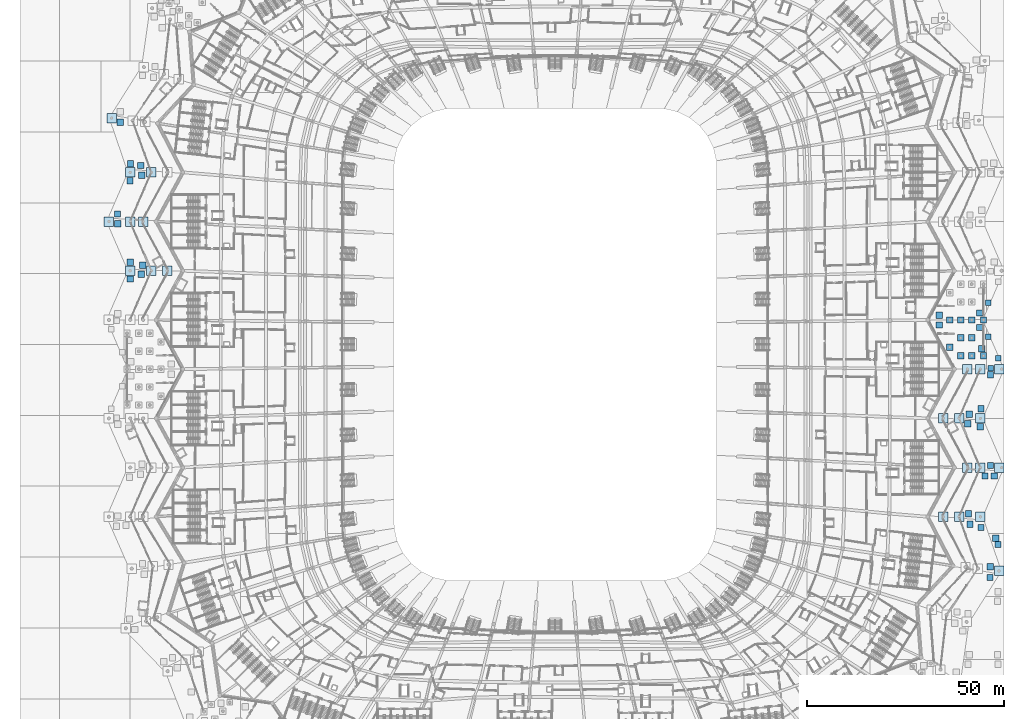
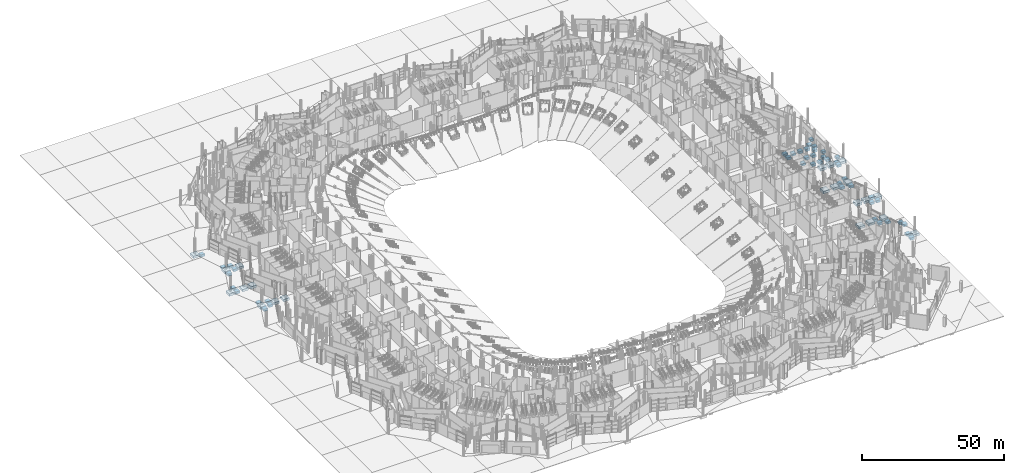
# One storey, part 5 of 255: 67 footings.
"""IFC4 building model written with IfcOpenShell, lengths in metres."""

from ifc_helpers import new_model, si_unit, direction, frame, origin, place, context, subcontext, project, spatial, polyline, outline, extrude, material, type_object, element, save


model = new_model("IFC4")

# Units and contexts
model_context = context("Model", 3, precision=1e-05, world=origin(), true_north=direction((0.0, 1.0)))
body_context = subcontext(model_context, "Body", "Model", "MODEL_VIEW")
ifc_project = project(units=[si_unit("LENGTHUNIT", "METRE"), si_unit("AREAUNIT", "SQUARE_METRE"), si_unit("VOLUMEUNIT", "CUBIC_METRE"), si_unit("PLANEANGLEUNIT", "RADIAN"), si_unit("MASSUNIT", "GRAM", prefix="KILO")], contexts=[model_context])

# Site, building, storey
site_placement = place(None, origin())
site = spatial("IfcSite", under=ifc_project, at=site_placement, CompositionType="ELEMENT")
building_placement = place(site_placement, origin())
building = spatial("IfcBuilding", under=site, at=building_placement, Name="Meseta Stadium", CompositionType="ELEMENT")
storey_placement = place(building_placement, origin())
storey = spatial("IfcBuildingStorey", under=building, at=storey_placement, Name="L00", CompositionType="ELEMENT", Elevation=0.0)

# Footings
ifc_material_1 = material(Name="Concrete C30/37", Category="concrete")
footing_type_1 = type_object("IfcFootingType", Name="Gate pad footing 1400", PredefinedType="PAD_FOOTING", material=ifc_material_1)
footing_1_placement = place(storey_placement, frame((0.0, 0.0, -1.300048828125)))
element("IfcFooting", 1, at=footing_1_placement, inside=storey, type_object=footing_type_1, Name="Paving pad footing", PredefinedType="PAD_FOOTING", context=body_context, shape_type="SweptSolid", body=[
    extrude(outline(polyline([(110.699951171875, 1.25), (110.699951171875, 2.64990234375), (109.300048828125, 2.64990234375), (109.300048828125, 1.25), (110.699951171875, 1.25)])), origin(), (0.0, 0.0, 1.0), 1.0),
])
footing_2_placement = place(storey_placement, frame((0.0, 0.0, -1.300048828125)))
element("IfcFooting", 2, at=footing_2_placement, inside=storey, type_object=footing_type_1, Name="Paving pad footing", PredefinedType="PAD_FOOTING", context=body_context, shape_type="SweptSolid", body=[
    extrude(outline(polyline([(111.300048828125, -6.75), (111.300048828125, -5.35009765625), (109.89990234375, -5.35009765625), (109.89990234375, -6.75), (111.300048828125, -6.75)])), origin(), (0.0, 0.0, 1.0), 1.0),
])
footing_3_placement = place(storey_placement, frame((0.0, 0.0, -1.300048828125)))
element("IfcFooting", 3, at=footing_3_placement, inside=storey, type_object=footing_type_1, Name="Paving pad footing", PredefinedType="PAD_FOOTING", context=body_context, shape_type="SweptSolid", body=[
    extrude(outline(polyline([(113.300048828125, -4.14990234375), (113.300048828125, -2.75), (111.89990234375, -2.75), (111.89990234375, -4.14990234375), (113.300048828125, -4.14990234375)])), origin(), (0.0, 0.0, 1.0), 1.0),
])
footing_4_placement = place(storey_placement, frame((0.0, 0.0, -1.300048828125)))
element("IfcFooting", 4, at=footing_4_placement, inside=storey, type_object=footing_type_1, Name="Paving pad footing", PredefinedType="PAD_FOOTING", context=body_context, shape_type="SweptSolid", body=[
    extrude(outline(polyline([(110.699951171875, 9.864990234375), (110.699951171875, 11.264892578125), (109.300048828125, 11.264892578125), (109.300048828125, 9.864990234375), (110.699951171875, 9.864990234375)])), origin(), (0.0, 0.0, 1.0), 1.0),
])
ifc_material_2 = material(Name="Concrete C30/37", Category="concrete")
footing_type_2 = type_object("IfcFootingType", Name="Gate pad footing 1600", PredefinedType="PAD_FOOTING", material=ifc_material_2)
footing_5_placement = place(storey_placement, frame((0.0, 0.0, -1.300048828125)))
element("IfcFooting", 5, at=footing_5_placement, inside=storey, type_object=footing_type_2, Name="Gate 1 pad footing", PredefinedType="PAD_FOOTING", context=body_context, shape_type="SweptSolid", body=[
    extrude(outline(polyline([(101.0, -1.46728515625), (101.0, 0.132568359375), (99.39990234375, 0.132568359375), (99.39990234375, -1.46728515625), (101.0, -1.46728515625)])), origin(), (0.0, 0.0, 1.0), 1.0),
])
footing_6_placement = place(storey_placement, frame((0.0, 0.0, -1.300048828125)))
element("IfcFooting", 6, at=footing_6_placement, inside=storey, type_object=footing_type_2, Name="Gate 1 pad footing", PredefinedType="PAD_FOOTING", context=body_context, shape_type="SweptSolid", body=[
    extrude(outline(polyline([(101.0, 5.449951171875), (101.0, 7.050048828125), (99.39990234375, 7.050048828125), (99.39990234375, 5.449951171875), (101.0, 5.449951171875)])), origin(), (0.0, 0.0, 1.0), 1.0),
])
footing_7_placement = place(storey_placement, frame((0.0, 0.0, -1.300048828125)))
element("IfcFooting", 7, at=footing_7_placement, inside=storey, type_object=footing_type_2, Name="Gate 1 pad footing", PredefinedType="PAD_FOOTING", context=body_context, shape_type="SweptSolid", body=[
    extrude(outline(polyline([(103.800048828125, -3.64990234375), (103.800048828125, -2.050048828125), (102.199951171875, -2.050048828125), (102.199951171875, -3.64990234375), (103.800048828125, -3.64990234375)])), origin(), (0.0, 0.0, 1.0), 1.0),
])
footing_8_placement = place(storey_placement, frame((0.0, 0.0, -1.300048828125)))
element("IfcFooting", 8, at=footing_8_placement, inside=storey, type_object=footing_type_2, Name="Gate 1 pad footing", PredefinedType="PAD_FOOTING", context=body_context, shape_type="SweptSolid", body=[
    extrude(outline(polyline([(103.800048828125, 0.89990234375), (103.800048828125, 2.5), (102.199951171875, 2.5), (102.199951171875, 0.89990234375), (103.800048828125, 0.89990234375)])), origin(), (0.0, 0.0, 1.0), 1.0),
])
footing_9_placement = place(storey_placement, frame((0.0, 0.0, -1.300048828125)))
element("IfcFooting", 9, at=footing_9_placement, inside=storey, type_object=footing_type_2, Name="Gate 1 pad footing", PredefinedType="PAD_FOOTING", context=body_context, shape_type="SweptSolid", body=[
    extrude(outline(polyline([(103.800048828125, 5.449951171875), (103.800048828125, 7.050048828125), (102.199951171875, 7.050048828125), (102.199951171875, 5.449951171875), (103.800048828125, 5.449951171875)])), origin(), (0.0, 0.0, 1.0), 1.0),
])
footing_10_placement = place(storey_placement, frame((0.0, 0.0, -1.300048828125)))
element("IfcFooting", 10, at=footing_10_placement, inside=storey, type_object=footing_type_2, Name="Gate 1 pad footing", PredefinedType="PAD_FOOTING", context=body_context, shape_type="SweptSolid", body=[
    extrude(outline(polyline([(106.60009765625, -3.64990234375), (106.60009765625, -2.050048828125), (105.0, -2.050048828125), (105.0, -3.64990234375), (106.60009765625, -3.64990234375)])), origin(), (0.0, 0.0, 1.0), 1.0),
])
footing_11_placement = place(storey_placement, frame((0.0, 0.0, -1.300048828125)))
element("IfcFooting", 11, at=footing_11_placement, inside=storey, type_object=footing_type_2, Name="Gate 1 pad footing", PredefinedType="PAD_FOOTING", context=body_context, shape_type="SweptSolid", body=[
    extrude(outline(polyline([(106.60009765625, 0.89990234375), (106.60009765625, 2.5), (105.0, 2.5), (105.0, 0.89990234375), (106.60009765625, 0.89990234375)])), origin(), (0.0, 0.0, 1.0), 1.0),
])
footing_12_placement = place(storey_placement, frame((0.0, 0.0, -1.300048828125)))
element("IfcFooting", 12, at=footing_12_placement, inside=storey, type_object=footing_type_2, Name="Gate 1 pad footing", PredefinedType="PAD_FOOTING", context=body_context, shape_type="SweptSolid", body=[
    extrude(outline(polyline([(106.60009765625, 5.449951171875), (106.60009765625, 7.050048828125), (105.0, 7.050048828125), (105.0, 5.449951171875), (106.60009765625, 5.449951171875)])), origin(), (0.0, 0.0, 1.0), 1.0),
])
footing_13_placement = place(storey_placement, frame((0.0, 0.0, -1.300048828125)))
element("IfcFooting", 13, at=footing_13_placement, inside=storey, type_object=footing_type_2, Name="Gate 1 pad footing", PredefinedType="PAD_FOOTING", context=body_context, shape_type="SweptSolid", body=[
    extrude(outline(polyline([(109.60009765625, -3.64990234375), (109.60009765625, -2.050048828125), (108.0, -2.050048828125), (108.0, -3.64990234375), (109.60009765625, -3.64990234375)])), origin(), (0.0, 0.0, 1.0), 1.0),
])
footing_14_placement = place(storey_placement, frame((0.0, 0.0, -1.300048828125)))
element("IfcFooting", 14, at=footing_14_placement, inside=storey, type_object=footing_type_2, Name="Gate 1 pad footing", PredefinedType="PAD_FOOTING", context=body_context, shape_type="SweptSolid", body=[
    extrude(outline(polyline([(109.60009765625, 5.449951171875), (109.60009765625, 7.050048828125), (108.0, 7.050048828125), (108.0, 5.449951171875), (109.60009765625, 5.449951171875)])), origin(), (0.0, 0.0, 1.0), 1.0),
])
ifc_material_3 = material(Name="Concrete C30/37", Category="concrete")
footing_type_3 = type_object("IfcFootingType", Name="Ring pad footing 1600", PredefinedType="PAD_FOOTING", material=ifc_material_3)
footing_15_placement = place(storey_placement, frame((0.0, 0.0, -1.300048828125)))
element("IfcFooting", 15, at=footing_15_placement, inside=storey, type_object=footing_type_3, Name="Paving pad footing", PredefinedType="PAD_FOOTING", context=body_context, shape_type="SweptSolid", body=[
    extrude(outline(polyline([(98.35498046875, 6.617919921875), (98.35498046875, 8.218017578125), (96.7548828125, 8.218017578125), (96.7548828125, 6.617919921875), (98.35498046875, 6.617919921875)])), origin(), (0.0, 0.0, 1.0), 1.0),
])
footing_16_placement = place(storey_placement, frame((0.0, 0.0, -1.300048828125)))
element("IfcFooting", 16, at=footing_16_placement, inside=storey, type_object=footing_type_3, Name="Paving pad footing", PredefinedType="PAD_FOOTING", context=body_context, shape_type="SweptSolid", body=[
    extrude(outline(polyline([(108.554931640625, 7.218017578125), (108.554931640625, 8.818115234375), (106.955078125, 8.818115234375), (106.955078125, 7.218017578125), (108.554931640625, 7.218017578125)])), origin(), (0.0, 0.0, 1.0), 1.0),
])
footing_17_placement = place(storey_placement, frame((0.0, 0.0, -1.300048828125)))
element("IfcFooting", 17, at=footing_17_placement, inside=storey, type_object=footing_type_3, Name="Paving pad footing", PredefinedType="PAD_FOOTING", context=body_context, shape_type="SweptSolid", body=[
    extrude(outline(polyline([(98.35498046875, 4.14990234375), (98.35498046875, 5.75), (96.7548828125, 5.75), (96.7548828125, 4.14990234375), (98.35498046875, 4.14990234375)])), origin(), (0.0, 0.0, 1.0), 1.0),
])
footing_18_placement = place(storey_placement, frame((0.0, 0.0, -1.300048828125)))
element("IfcFooting", 18, at=footing_18_placement, inside=storey, type_object=footing_type_3, Name="Paving pad footing", PredefinedType="PAD_FOOTING", context=body_context, shape_type="SweptSolid", body=[
    extrude(outline(polyline([(109.155029296875, -1.85009765625), (109.155029296875, -0.25), (107.554931640625, -0.25), (107.554931640625, -1.85009765625), (109.155029296875, -1.85009765625)])), origin(), (0.0, 0.0, 1.0), 1.0),
])
footing_19_placement = place(storey_placement, frame((0.0, 0.0, -1.300048828125)))
element("IfcFooting", 19, at=footing_19_placement, inside=storey, type_object=footing_type_3, Name="Paving pad footing", PredefinedType="PAD_FOOTING", context=body_context, shape_type="SweptSolid", body=[
    extrude(outline(polyline([(108.554931640625, 3.550048828125), (108.554931640625, 5.14990234375), (106.955078125, 5.14990234375), (106.955078125, 3.550048828125), (108.554931640625, 3.550048828125)])), origin(), (0.0, 0.0, 1.0), 1.0),
])
footing_20_placement = place(storey_placement, frame((0.0, 0.0, -1.300048828125)))
element("IfcFooting", 20, at=footing_20_placement, inside=storey, type_object=footing_type_3, Name="Paving pad footing", PredefinedType="PAD_FOOTING", context=body_context, shape_type="SweptSolid", body=[
    extrude(outline(polyline([(112.69189453125, -50.0), (112.69189453125, -48.39990234375), (111.092041015625, -48.39990234375), (111.092041015625, -50.0), (112.69189453125, -50.0)])), origin(), (0.0, 0.0, 1.0), 1.0),
])
footing_21_placement = place(storey_placement, frame((0.0, 0.0, -1.300048828125)))
element("IfcFooting", 21, at=footing_21_placement, inside=storey, type_object=footing_type_3, Name="Paving pad footing", PredefinedType="PAD_FOOTING", context=body_context, shape_type="SweptSolid", body=[
    extrude(outline(polyline([(113.2919921875, -51.60009765625), (113.2919921875, -50.0), (111.69189453125, -50.0), (111.69189453125, -51.60009765625), (113.2919921875, -51.60009765625)])), origin(), (0.0, 0.0, 1.0), 1.0),
])
footing_22_placement = place(storey_placement, frame((0.0, 0.0, -1.300048828125)))
element("IfcFooting", 22, at=footing_22_placement, inside=storey, type_object=footing_type_3, Name="Paving pad footing", PredefinedType="PAD_FOOTING", context=body_context, shape_type="SweptSolid", body=[
    extrude(outline(polyline([(-104.0, 19.31298828125), (-104.0, 20.9130859375), (-105.60009765625, 20.9130859375), (-105.60009765625, 19.31298828125), (-104.0, 19.31298828125)])), origin(), (0.0, 0.0, 1.0), 1.0),
])
footing_23_placement = place(storey_placement, frame((0.0, 0.0, -1.300048828125)))
element("IfcFooting", 23, at=footing_23_placement, inside=storey, type_object=footing_type_3, Name="Paving pad footing", PredefinedType="PAD_FOOTING", context=body_context, shape_type="SweptSolid", body=[
    extrude(outline(polyline([(-110.39990234375, 29.9130859375), (-110.39990234375, 31.512939453125), (-112.0, 31.512939453125), (-112.0, 29.9130859375), (-110.39990234375, 29.9130859375)])), origin(), (0.0, 0.0, 1.0), 1.0),
])
footing_24_placement = place(storey_placement, frame((0.0, 0.0, -1.300048828125)))
element("IfcFooting", 24, at=footing_24_placement, inside=storey, type_object=footing_type_3, Name="Paving pad footing", PredefinedType="PAD_FOOTING", context=body_context, shape_type="SweptSolid", body=[
    extrude(outline(polyline([(-107.199951171875, 20.113037109375), (-107.199951171875, 21.712890625), (-108.800048828125, 21.712890625), (-108.800048828125, 20.113037109375), (-107.199951171875, 20.113037109375)])), origin(), (0.0, 0.0, 1.0), 1.0),
])
footing_25_placement = place(storey_placement, frame((0.0, 0.0, -1.300048828125)))
element("IfcFooting", 25, at=footing_25_placement, inside=storey, type_object=footing_type_3, Name="Paving pad footing", PredefinedType="PAD_FOOTING", context=body_context, shape_type="SweptSolid", body=[
    extrude(outline(polyline([(-104.39990234375, 17.050048828125), (-104.39990234375, 18.64990234375), (-106.0, 18.64990234375), (-106.0, 17.050048828125), (-104.39990234375, 17.050048828125)])), origin(), (0.0, 0.0, 1.0), 1.0),
])
footing_26_placement = place(storey_placement, frame((0.0, 0.0, -1.300048828125)))
element("IfcFooting", 26, at=footing_26_placement, inside=storey, type_object=footing_type_3, Name="Paving pad footing", PredefinedType="PAD_FOOTING", context=body_context, shape_type="SweptSolid", body=[
    extrude(outline(polyline([(-107.199951171875, 15.85009765625), (-107.199951171875, 17.449951171875), (-108.800048828125, 17.449951171875), (-108.800048828125, 15.85009765625), (-107.199951171875, 15.85009765625)])), origin(), (0.0, 0.0, 1.0), 1.0),
])
footing_27_placement = place(storey_placement, frame((0.0, 0.0, -1.300048828125)))
element("IfcFooting", 27, at=footing_27_placement, inside=storey, type_object=footing_type_3, Name="Paving pad footing", PredefinedType="PAD_FOOTING", context=body_context, shape_type="SweptSolid", body=[
    extrude(outline(polyline([(-104.534912109375, 44.716064453125), (-104.534912109375, 46.31591796875), (-106.135009765625, 46.31591796875), (-106.135009765625, 44.716064453125), (-104.534912109375, 44.716064453125)])), origin(), (0.0, 0.0, 1.0), 1.0),
])
footing_28_placement = place(storey_placement, frame((0.0, 0.0, -1.300048828125)))
element("IfcFooting", 28, at=footing_28_placement, inside=storey, type_object=footing_type_3, Name="Paving pad footing", PredefinedType="PAD_FOOTING", context=body_context, shape_type="SweptSolid", body=[
    extrude(outline(polyline([(-109.735107421875, 55.716064453125), (-109.735107421875, 57.31591796875), (-111.3349609375, 57.31591796875), (-111.3349609375, 55.716064453125), (-109.735107421875, 55.716064453125)])), origin(), (0.0, 0.0, 1.0), 1.0),
])
footing_29_placement = place(storey_placement, frame((0.0, 0.0, -1.300048828125)))
element("IfcFooting", 29, at=footing_29_placement, inside=storey, type_object=footing_type_3, Name="Paving pad footing", PredefinedType="PAD_FOOTING", context=body_context, shape_type="SweptSolid", body=[
    extrude(outline(polyline([(-107.135009765625, 45.115966796875), (-107.135009765625, 46.716064453125), (-108.735107421875, 46.716064453125), (-108.735107421875, 45.115966796875), (-107.135009765625, 45.115966796875)])), origin(), (0.0, 0.0, 1.0), 1.0),
])
footing_30_placement = place(storey_placement, frame((0.0, 0.0, -1.300048828125)))
element("IfcFooting", 30, at=footing_30_placement, inside=storey, type_object=footing_type_3, Name="Paving pad footing", PredefinedType="PAD_FOOTING", context=body_context, shape_type="SweptSolid", body=[
    extrude(outline(polyline([(-110.429931640625, 32.385986328125), (-110.429931640625, 33.986083984375), (-112.030029296875, 33.986083984375), (-112.030029296875, 32.385986328125), (-110.429931640625, 32.385986328125)])), origin(), (0.0, 0.0, 1.0), 1.0),
])
footing_31_placement = place(storey_placement, frame((0.0, 0.0, -1.300048828125)))
element("IfcFooting", 31, at=footing_31_placement, inside=storey, type_object=footing_type_3, Name="Paving pad footing", PredefinedType="PAD_FOOTING", context=body_context, shape_type="SweptSolid", body=[
    extrude(outline(polyline([(-104.22998046875, 42.18603515625), (-104.22998046875, 43.785888671875), (-105.830078125, 43.785888671875), (-105.830078125, 42.18603515625), (-104.22998046875, 42.18603515625)])), origin(), (0.0, 0.0, 1.0), 1.0),
])
footing_32_placement = place(storey_placement, frame((0.0, 0.0, -1.300048828125)))
element("IfcFooting", 32, at=footing_32_placement, inside=storey, type_object=footing_type_3, Name="Paving pad footing", PredefinedType="PAD_FOOTING", context=body_context, shape_type="SweptSolid", body=[
    extrude(outline(polyline([(-107.22998046875, 40.785888671875), (-107.22998046875, 42.385986328125), (-108.830078125, 42.385986328125), (-108.830078125, 40.785888671875), (-107.22998046875, 40.785888671875)])), origin(), (0.0, 0.0, 1.0), 1.0),
])
footing_33_placement = place(storey_placement, frame((0.0, 0.0, -1.300048828125)))
element("IfcFooting", 33, at=footing_33_placement, inside=storey, type_object=footing_type_3, Name="Paving pad footing", PredefinedType="PAD_FOOTING", context=body_context, shape_type="SweptSolid", body=[
    extrude(outline(polyline([(111.248046875, -59.970947265625), (111.248046875, -58.37109375), (109.64794921875, -58.37109375), (109.64794921875, -59.970947265625), (111.248046875, -59.970947265625)])), origin(), (0.0, 0.0, 1.0), 1.0),
])
footing_34_placement = place(storey_placement, frame((0.0, 0.0, -1.300048828125)))
element("IfcFooting", 34, at=footing_34_placement, inside=storey, type_object=footing_type_3, Name="Paving pad footing", PredefinedType="PAD_FOOTING", context=body_context, shape_type="SweptSolid", body=[
    extrude(outline(polyline([(112.35888671875, -34.18505859375), (112.35888671875, -32.5849609375), (110.759033203125, -32.5849609375), (110.759033203125, -34.18505859375), (112.35888671875, -34.18505859375)])), origin(), (0.0, 0.0, 1.0), 1.0),
])
footing_35_placement = place(storey_placement, frame((0.0, 0.0, -1.300048828125)))
element("IfcFooting", 35, at=footing_35_placement, inside=storey, type_object=footing_type_3, Name="Paving pad footing", PredefinedType="PAD_FOOTING", context=body_context, shape_type="SweptSolid", body=[
    extrude(outline(polyline([(105.759033203125, -43.784912109375), (105.759033203125, -42.18505859375), (104.158935546875, -42.18505859375), (104.158935546875, -43.784912109375), (105.759033203125, -43.784912109375)])), origin(), (0.0, 0.0, 1.0), 1.0),
])
footing_36_placement = place(storey_placement, frame((0.0, 0.0, -1.300048828125)))
element("IfcFooting", 36, at=footing_36_placement, inside=storey, type_object=footing_type_3, Name="Paving pad footing", PredefinedType="PAD_FOOTING", context=body_context, shape_type="SweptSolid", body=[
    extrude(outline(polyline([(109.958984375, -34.18505859375), (109.958984375, -32.5849609375), (108.35888671875, -32.5849609375), (108.35888671875, -34.18505859375), (109.958984375, -34.18505859375)])), origin(), (0.0, 0.0, 1.0), 1.0),
])
footing_37_placement = place(storey_placement, frame((0.0, 0.0, -1.300048828125)))
element("IfcFooting", 37, at=footing_37_placement, inside=storey, type_object=footing_type_3, Name="Paving pad footing", PredefinedType="PAD_FOOTING", context=body_context, shape_type="SweptSolid", body=[
    extrude(outline(polyline([(106.136962890625, -46.465087890625), (106.136962890625, -44.864990234375), (104.537109375, -44.864990234375), (104.537109375, -46.465087890625), (106.136962890625, -46.465087890625)])), origin(), (0.0, 0.0, 1.0), 1.0),
])
footing_38_placement = place(storey_placement, frame((0.0, 0.0, -1.300048828125)))
element("IfcFooting", 38, at=footing_38_placement, inside=storey, type_object=footing_type_3, Name="Paving pad footing", PredefinedType="PAD_FOOTING", context=body_context, shape_type="SweptSolid", body=[
    extrude(outline(polyline([(111.3369140625, -57.264892578125), (111.3369140625, -55.6650390625), (109.737060546875, -55.6650390625), (109.737060546875, -57.264892578125), (111.3369140625, -57.264892578125)])), origin(), (0.0, 0.0, 1.0), 1.0),
])
footing_39_placement = place(storey_placement, frame((0.0, 0.0, -1.300048828125)))
element("IfcFooting", 39, at=footing_39_placement, inside=storey, type_object=footing_type_3, Name="Paving pad footing", PredefinedType="PAD_FOOTING", context=body_context, shape_type="SweptSolid", body=[
    extrude(outline(polyline([(108.93701171875, -47.264892578125), (108.93701171875, -45.6650390625), (107.3369140625, -45.6650390625), (107.3369140625, -47.264892578125), (108.93701171875, -47.264892578125)])), origin(), (0.0, 0.0, 1.0), 1.0),
])
footing_40_placement = place(storey_placement, frame((0.0, 0.0, -1.300048828125)))
element("IfcFooting", 40, at=footing_40_placement, inside=storey, type_object=footing_type_3, Name="Paving pad footing", PredefinedType="PAD_FOOTING", context=body_context, shape_type="SweptSolid", body=[
    extrude(outline(polyline([(105.958984375, -18.50390625), (105.958984375, -16.904052734375), (104.35888671875, -16.904052734375), (104.35888671875, -18.50390625), (105.958984375, -18.50390625)])), origin(), (0.0, 0.0, 1.0), 1.0),
])
footing_41_placement = place(storey_placement, frame((0.0, 0.0, -1.300048828125)))
element("IfcFooting", 41, at=footing_41_placement, inside=storey, type_object=footing_type_3, Name="Paving pad footing", PredefinedType="PAD_FOOTING", context=body_context, shape_type="SweptSolid", body=[
    extrude(outline(polyline([(111.35888671875, -8.50390625), (111.35888671875, -6.904052734375), (109.759033203125, -6.904052734375), (109.759033203125, -8.50390625), (111.35888671875, -8.50390625)])), origin(), (0.0, 0.0, 1.0), 1.0),
])
footing_42_placement = place(storey_placement, frame((0.0, 0.0, -1.300048828125)))
element("IfcFooting", 42, at=footing_42_placement, inside=storey, type_object=footing_type_3, Name="Paving pad footing", PredefinedType="PAD_FOOTING", context=body_context, shape_type="SweptSolid", body=[
    extrude(outline(polyline([(108.958984375, -17.10400390625), (108.958984375, -15.50390625), (107.35888671875, -15.50390625), (107.35888671875, -17.10400390625), (108.958984375, -17.10400390625)])), origin(), (0.0, 0.0, 1.0), 1.0),
])
footing_43_placement = place(storey_placement, frame((0.0, 0.0, -1.300048828125)))
element("IfcFooting", 43, at=footing_43_placement, inside=storey, type_object=footing_type_3, Name="Paving pad footing", PredefinedType="PAD_FOOTING", context=body_context, shape_type="SweptSolid", body=[
    extrude(outline(polyline([(105.55908203125, -20.906982421875), (105.55908203125, -19.306884765625), (103.958984375, -19.306884765625), (103.958984375, -20.906982421875), (105.55908203125, -20.906982421875)])), origin(), (0.0, 0.0, 1.0), 1.0),
])
footing_44_placement = place(storey_placement, frame((0.0, 0.0, -1.300048828125)))
element("IfcFooting", 44, at=footing_44_placement, inside=storey, type_object=footing_type_3, Name="Paving pad footing", PredefinedType="PAD_FOOTING", context=body_context, shape_type="SweptSolid", body=[
    extrude(outline(polyline([(111.35888671875, -31.507080078125), (111.35888671875, -29.906982421875), (109.759033203125, -29.906982421875), (109.759033203125, -31.507080078125), (111.35888671875, -31.507080078125)])), origin(), (0.0, 0.0, 1.0), 1.0),
])
footing_45_placement = place(storey_placement, frame((0.0, 0.0, -1.300048828125)))
element("IfcFooting", 45, at=footing_45_placement, inside=storey, type_object=footing_type_3, Name="Paving pad footing", PredefinedType="PAD_FOOTING", context=body_context, shape_type="SweptSolid", body=[
    extrude(outline(polyline([(108.759033203125, -21.70703125), (108.759033203125, -20.10693359375), (107.158935546875, -20.10693359375), (107.158935546875, -21.70703125), (108.759033203125, -21.70703125)])), origin(), (0.0, 0.0, 1.0), 1.0),
])
ifc_material_4 = material(Name="Concrete C30/37", Category="concrete")
footing_type_4 = type_object("IfcFootingType", Name="Ring pad footing 2400", PredefinedType="PAD_FOOTING", material=ifc_material_4)
footing_46_placement = place(storey_placement, frame((0.0, 0.0, -1.300048828125)))
element("IfcFooting", 46, at=footing_46_placement, inside=storey, type_object=footing_type_4, Name="Ring pad footing F00O", PredefinedType="PAD_FOOTING", context=body_context, shape_type="SweptSolid", body=[
    extrude(outline(polyline([(113.9384765625, -58.719482421875), (113.9384765625, -56.319580078125), (111.538330078125, -56.319580078125), (111.538330078125, -58.719482421875), (113.9384765625, -58.719482421875)])), origin(), (0.0, 0.0, 1.0), 1.0),
])
footing_47_placement = place(storey_placement, frame((0.0, 0.0, -1.300048828125)))
element("IfcFooting", 47, at=footing_47_placement, inside=storey, type_object=footing_type_4, Name="Ring pad footing F01M", PredefinedType="PAD_FOOTING", context=body_context, shape_type="SweptSolid", body=[
    extrude(outline(polyline([(99.800048828125, -44.949951171875), (99.800048828125, -42.550048828125), (97.39990234375, -42.550048828125), (97.39990234375, -44.949951171875), (99.800048828125, -44.949951171875)])), origin(), (0.0, 0.0, 1.0), 1.0),
])
footing_48_placement = place(storey_placement, frame((0.0, 0.0, -1.300048828125)))
element("IfcFooting", 48, at=footing_48_placement, inside=storey, type_object=footing_type_4, Name="Ring pad footing F01Q", PredefinedType="PAD_FOOTING", context=body_context, shape_type="SweptSolid", body=[
    extrude(outline(polyline([(103.800048828125, -44.949951171875), (103.800048828125, -42.550048828125), (101.39990234375, -42.550048828125), (101.39990234375, -44.949951171875), (103.800048828125, -44.949951171875)])), origin(), (0.0, 0.0, 1.0), 1.0),
])
footing_49_placement = place(storey_placement, frame((0.0, 0.0, -1.300048828125)))
element("IfcFooting", 49, at=footing_49_placement, inside=storey, type_object=footing_type_4, Name="Ring pad footing F01O", PredefinedType="PAD_FOOTING", context=body_context, shape_type="SweptSolid", body=[
    extrude(outline(polyline([(109.199951171875, -44.949951171875), (109.199951171875, -42.550048828125), (106.800048828125, -42.550048828125), (106.800048828125, -44.949951171875), (109.199951171875, -44.949951171875)])), origin(), (0.0, 0.0, 1.0), 1.0),
])
footing_50_placement = place(storey_placement, frame((0.0, 0.0, -1.300048828125)))
element("IfcFooting", 50, at=footing_50_placement, inside=storey, type_object=footing_type_4, Name="Ring pad footing F02M", PredefinedType="PAD_FOOTING", context=body_context, shape_type="SweptSolid", body=[
    extrude(outline(polyline([(105.89990234375, -32.449951171875), (105.89990234375, -30.050048828125), (103.5, -30.050048828125), (103.5, -32.449951171875), (105.89990234375, -32.449951171875)])), origin(), (0.0, 0.0, 1.0), 1.0),
])
footing_51_placement = place(storey_placement, frame((0.0, 0.0, -1.300048828125)))
element("IfcFooting", 51, at=footing_51_placement, inside=storey, type_object=footing_type_4, Name="Ring pad footing F02Q", PredefinedType="PAD_FOOTING", context=body_context, shape_type="SweptSolid", body=[
    extrude(outline(polyline([(109.199951171875, -32.449951171875), (109.199951171875, -30.050048828125), (106.800048828125, -30.050048828125), (106.800048828125, -32.449951171875), (109.199951171875, -32.449951171875)])), origin(), (0.0, 0.0, 1.0), 1.0),
])
footing_52_placement = place(storey_placement, frame((0.0, 0.0, -1.300048828125)))
element("IfcFooting", 52, at=footing_52_placement, inside=storey, type_object=footing_type_4, Name="Ring pad footing F02O", PredefinedType="PAD_FOOTING", context=body_context, shape_type="SweptSolid", body=[
    extrude(outline(polyline([(114.0, -32.449951171875), (114.0, -30.050048828125), (111.60009765625, -30.050048828125), (111.60009765625, -32.449951171875), (114.0, -32.449951171875)])), origin(), (0.0, 0.0, 1.0), 1.0),
])
footing_53_placement = place(storey_placement, frame((0.0, 0.0, -1.300048828125)))
element("IfcFooting", 53, at=footing_53_placement, inside=storey, type_object=footing_type_4, Name="Ring pad footing F03M", PredefinedType="PAD_FOOTING", context=body_context, shape_type="SweptSolid", body=[
    extrude(outline(polyline([(99.800048828125, -19.949951171875), (99.800048828125, -17.550048828125), (97.39990234375, -17.550048828125), (97.39990234375, -19.949951171875), (99.800048828125, -19.949951171875)])), origin(), (0.0, 0.0, 1.0), 1.0),
])
footing_54_placement = place(storey_placement, frame((0.0, 0.0, -1.300048828125)))
element("IfcFooting", 54, at=footing_54_placement, inside=storey, type_object=footing_type_4, Name="Ring pad footing F03Q", PredefinedType="PAD_FOOTING", context=body_context, shape_type="SweptSolid", body=[
    extrude(outline(polyline([(103.800048828125, -19.949951171875), (103.800048828125, -17.550048828125), (101.39990234375, -17.550048828125), (101.39990234375, -19.949951171875), (103.800048828125, -19.949951171875)])), origin(), (0.0, 0.0, 1.0), 1.0),
])
footing_55_placement = place(storey_placement, frame((0.0, 0.0, -1.300048828125)))
element("IfcFooting", 55, at=footing_55_placement, inside=storey, type_object=footing_type_4, Name="Ring pad footing F03O", PredefinedType="PAD_FOOTING", context=body_context, shape_type="SweptSolid", body=[
    extrude(outline(polyline([(109.199951171875, -19.949951171875), (109.199951171875, -17.550048828125), (106.800048828125, -17.550048828125), (106.800048828125, -19.949951171875), (109.199951171875, -19.949951171875)])), origin(), (0.0, 0.0, 1.0), 1.0),
])
footing_56_placement = place(storey_placement, frame((0.0, 0.0, -1.300048828125)))
element("IfcFooting", 56, at=footing_56_placement, inside=storey, type_object=footing_type_4, Name="Ring pad footing F04M", PredefinedType="PAD_FOOTING", context=body_context, shape_type="SweptSolid", body=[
    extrude(outline(polyline([(105.89990234375, -7.449951171875), (105.89990234375, -5.050048828125), (103.5, -5.050048828125), (103.5, -7.449951171875), (105.89990234375, -7.449951171875)])), origin(), (0.0, 0.0, 1.0), 1.0),
])
footing_57_placement = place(storey_placement, frame((0.0, 0.0, -1.300048828125)))
element("IfcFooting", 57, at=footing_57_placement, inside=storey, type_object=footing_type_4, Name="Ring pad footing F04Q", PredefinedType="PAD_FOOTING", context=body_context, shape_type="SweptSolid", body=[
    extrude(outline(polyline([(109.199951171875, -7.449951171875), (109.199951171875, -5.050048828125), (106.800048828125, -5.050048828125), (106.800048828125, -7.449951171875), (109.199951171875, -7.449951171875)])), origin(), (0.0, 0.0, 1.0), 1.0),
])
footing_58_placement = place(storey_placement, frame((0.0, 0.0, -1.300048828125)))
element("IfcFooting", 58, at=footing_58_placement, inside=storey, type_object=footing_type_4, Name="Ring pad footing F04O", PredefinedType="PAD_FOOTING", context=body_context, shape_type="SweptSolid", body=[
    extrude(outline(polyline([(114.0, -7.449951171875), (114.0, -5.050048828125), (111.60009765625, -5.050048828125), (111.60009765625, -7.449951171875), (114.0, -7.449951171875)])), origin(), (0.0, 0.0, 1.0), 1.0),
])
footing_59_placement = place(storey_placement, frame((0.0, 0.0, -1.300048828125)))
element("IfcFooting", 59, at=footing_59_placement, inside=storey, type_object=footing_type_4, Name="Ring pad footing F28O", PredefinedType="PAD_FOOTING", context=body_context, shape_type="SweptSolid", body=[
    extrude(outline(polyline([(-111.538330078125, 56.319580078125), (-111.538330078125, 58.719482421875), (-113.9384765625, 58.719482421875), (-113.9384765625, 56.319580078125), (-111.538330078125, 56.319580078125)])), origin(), (0.0, 0.0, 1.0), 1.0),
])
footing_60_placement = place(storey_placement, frame((0.0, 0.0, -1.300048828125)))
element("IfcFooting", 60, at=footing_60_placement, inside=storey, type_object=footing_type_4, Name="Ring pad footing F29Q", PredefinedType="PAD_FOOTING", context=body_context, shape_type="SweptSolid", body=[
    extrude(outline(polyline([(-101.39990234375, 42.550048828125), (-101.39990234375, 44.949951171875), (-103.800048828125, 44.949951171875), (-103.800048828125, 42.550048828125), (-101.39990234375, 42.550048828125)])), origin(), (0.0, 0.0, 1.0), 1.0),
])
footing_61_placement = place(storey_placement, frame((0.0, 0.0, -1.300048828125)))
element("IfcFooting", 61, at=footing_61_placement, inside=storey, type_object=footing_type_4, Name="Ring pad footing F29O", PredefinedType="PAD_FOOTING", context=body_context, shape_type="SweptSolid", body=[
    extrude(outline(polyline([(-106.800048828125, 42.550048828125), (-106.800048828125, 44.949951171875), (-109.199951171875, 44.949951171875), (-109.199951171875, 42.550048828125), (-106.800048828125, 42.550048828125)])), origin(), (0.0, 0.0, 1.0), 1.0),
])
footing_62_placement = place(storey_placement, frame((0.0, 0.0, -1.300048828125)))
element("IfcFooting", 62, at=footing_62_placement, inside=storey, type_object=footing_type_4, Name="Ring pad footing F30M", PredefinedType="PAD_FOOTING", context=body_context, shape_type="SweptSolid", body=[
    extrude(outline(polyline([(-103.5, 30.050048828125), (-103.5, 32.449951171875), (-105.89990234375, 32.449951171875), (-105.89990234375, 30.050048828125), (-103.5, 30.050048828125)])), origin(), (0.0, 0.0, 1.0), 1.0),
])
footing_63_placement = place(storey_placement, frame((0.0, 0.0, -1.300048828125)))
element("IfcFooting", 63, at=footing_63_placement, inside=storey, type_object=footing_type_4, Name="Ring pad footing F30Q", PredefinedType="PAD_FOOTING", context=body_context, shape_type="SweptSolid", body=[
    extrude(outline(polyline([(-106.800048828125, 30.050048828125), (-106.800048828125, 32.449951171875), (-109.199951171875, 32.449951171875), (-109.199951171875, 30.050048828125), (-106.800048828125, 30.050048828125)])), origin(), (0.0, 0.0, 1.0), 1.0),
])
footing_64_placement = place(storey_placement, frame((0.0, 0.0, -1.300048828125)))
element("IfcFooting", 64, at=footing_64_placement, inside=storey, type_object=footing_type_4, Name="Ring pad footing F30O", PredefinedType="PAD_FOOTING", context=body_context, shape_type="SweptSolid", body=[
    extrude(outline(polyline([(-112.199951171875, 30.050048828125), (-112.199951171875, 32.449951171875), (-114.60009765625, 32.449951171875), (-114.60009765625, 30.050048828125), (-112.199951171875, 30.050048828125)])), origin(), (0.0, 0.0, 1.0), 1.0),
])
footing_65_placement = place(storey_placement, frame((0.0, 0.0, -1.300048828125)))
element("IfcFooting", 65, at=footing_65_placement, inside=storey, type_object=footing_type_4, Name="Ring pad footing F31M", PredefinedType="PAD_FOOTING", context=body_context, shape_type="SweptSolid", body=[
    extrude(outline(polyline([(-97.39990234375, 17.550048828125), (-97.39990234375, 19.949951171875), (-99.800048828125, 19.949951171875), (-99.800048828125, 17.550048828125), (-97.39990234375, 17.550048828125)])), origin(), (0.0, 0.0, 1.0), 1.0),
])
footing_66_placement = place(storey_placement, frame((0.0, 0.0, -1.300048828125)))
element("IfcFooting", 66, at=footing_66_placement, inside=storey, type_object=footing_type_4, Name="Ring pad footing F31Q", PredefinedType="PAD_FOOTING", context=body_context, shape_type="SweptSolid", body=[
    extrude(outline(polyline([(-101.39990234375, 17.550048828125), (-101.39990234375, 19.949951171875), (-103.800048828125, 19.949951171875), (-103.800048828125, 17.550048828125), (-101.39990234375, 17.550048828125)])), origin(), (0.0, 0.0, 1.0), 1.0),
])
footing_67_placement = place(storey_placement, frame((0.0, 0.0, -1.300048828125)))
element("IfcFooting", 67, at=footing_67_placement, inside=storey, type_object=footing_type_4, Name="Ring pad footing F31O", PredefinedType="PAD_FOOTING", context=body_context, shape_type="SweptSolid", body=[
    extrude(outline(polyline([(-106.800048828125, 17.550048828125), (-106.800048828125, 19.949951171875), (-109.199951171875, 19.949951171875), (-109.199951171875, 17.550048828125), (-106.800048828125, 17.550048828125)])), origin(), (0.0, 0.0, 1.0), 1.0),
])

save(model, "model.ifc")
